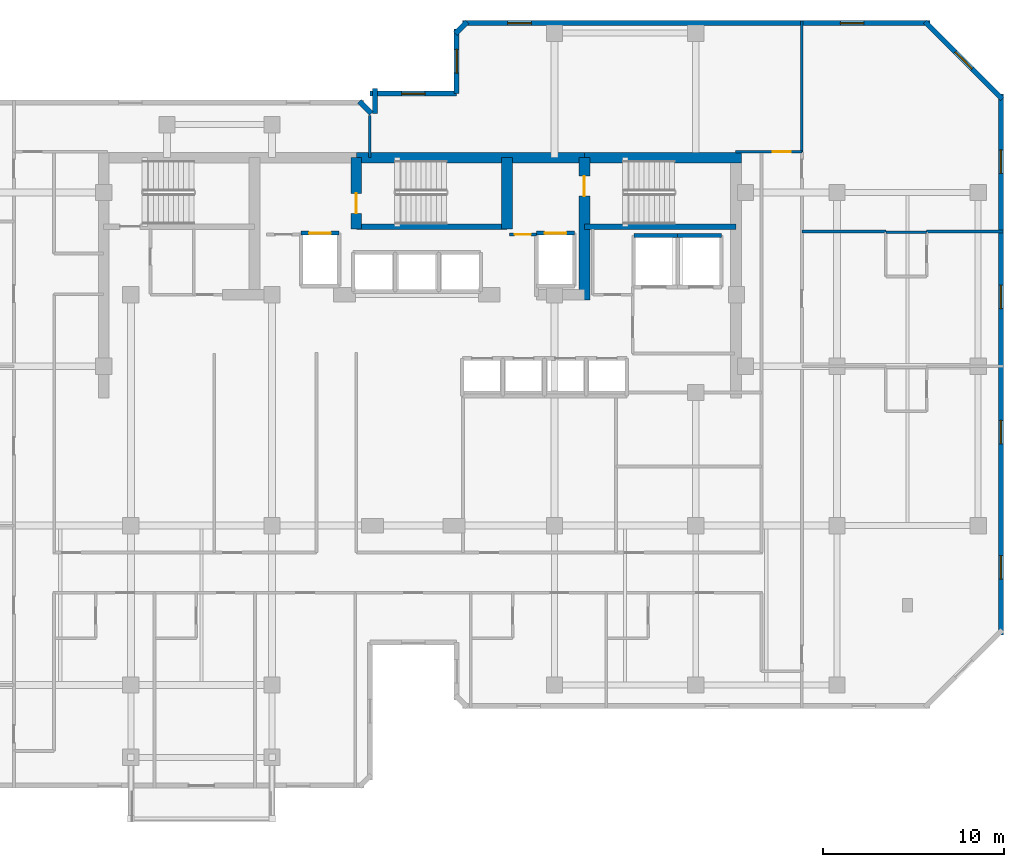
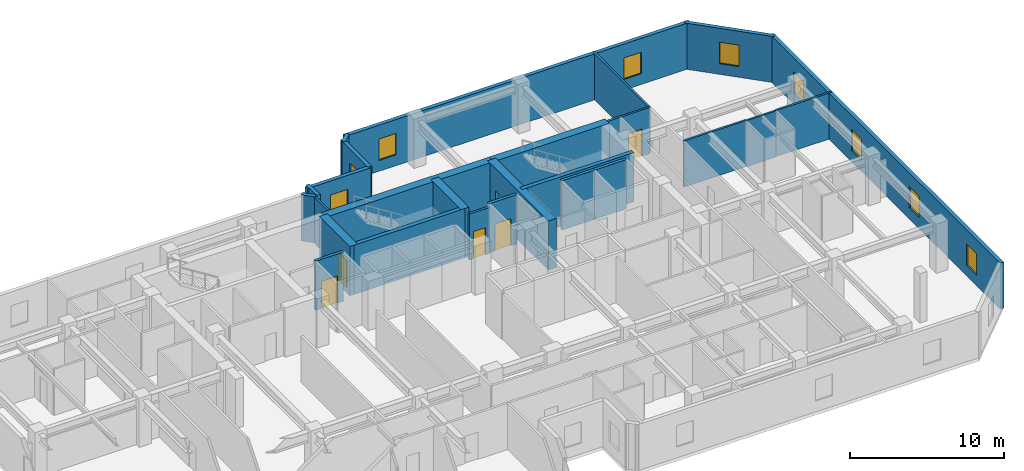
# One storey, part 8 of 11: 26 walls, 9 windows, 6 doors, 15 openings.
"""IFC4 building model written with IfcOpenShell, lengths in metres."""

from ifc_helpers import new_model, si_unit, direction, frame, frame_2d, origin, place, context, subcontext, project, spatial, rectangle, extrude, material, layer, layer_set, type_object, element, fill, save


model = new_model("IFC4")

# Units and contexts
model_context = context("Model", 3, precision=1e-05, world=origin(), true_north=direction((0.0, 1.0)))
body_context = subcontext(model_context, "Body", "Model", "MODEL_VIEW")
ifc_project = project(units=[si_unit("LENGTHUNIT", "METRE"), si_unit("AREAUNIT", "SQUARE_METRE"), si_unit("VOLUMEUNIT", "CUBIC_METRE"), si_unit("PLANEANGLEUNIT", "RADIAN"), si_unit("MASSUNIT", "GRAM", prefix="KILO")], contexts=[model_context])

# Site, building, storey
site_placement = place(None, origin())
site = spatial("IfcSite", under=ifc_project, at=site_placement, CompositionType="ELEMENT")
building_placement = place(site_placement, origin())
building = spatial("IfcBuilding", under=site, at=building_placement, Name="Kestravale Grand Hotel", CompositionType="ELEMENT")
storey_placement = place(building_placement, frame((0.0, 0.0, 200.699951171875)))
storey = spatial("IfcBuildingStorey", under=building, at=storey_placement, Name="L50", CompositionType="ELEMENT", Elevation=200.699951171875)

# Walls
ifc_material_1 = material(Name="Concrete f'c 50 MPa", Category="concrete")
ifc_layer_1 = layer(ifc_material_1, 0.60009765625)
ifc_layer_set_1 = layer_set([ifc_layer_1], Name="EW-CORE-600")
wall_type_1 = type_object("IfcWallType", Name="EW-CORE-600", PredefinedType="SHEAR", material=ifc_layer_set_1)
wall_1_placement = place(storey_placement, frame((35.85009765625, 40.320068359375, 0.0), z_axis=(0.0, 0.0, 1.0), x_axis=(1.0, 0.0, 0.0)))
element("IfcWall", 1, at=wall_1_placement, inside=storey, type_object=wall_type_1, Name="L50 core shear wall N2", PredefinedType="SHEAR", context=body_context, shape_type="SweptSolid", body=[
    extrude(rectangle(XDim=12.599853515625, YDim=0.60009765625, at=frame_2d((6.2998046875, 0.0))), origin(), (0.0, 0.0, 1.0), 3.900146484375),
])
wall_2_placement = place(storey_placement, frame((48.449951171875, 40.320068359375, 0.0), z_axis=(0.0, 0.0, 1.0), x_axis=(1.0, 0.0, 0.0)))
element("IfcWall", 2, at=wall_2_placement, inside=storey, type_object=wall_type_1, Name="L50 core shear wall N3", PredefinedType="SHEAR", context=body_context, shape_type="SweptSolid", body=[
    extrude(rectangle(XDim=8.670166015625, YDim=0.60009765625, at=frame_2d((4.3349609375, 0.0))), origin(), (0.0, 0.0, 1.0), 3.900146484375),
])

# Wall, opening, door
wall_3_placement = place(storey_placement, frame((35.85009765625, 36.3701171875, 0.0), z_axis=(0.0, 0.0, 1.0), x_axis=(0.0, 1.0, 0.0)))
wall_3 = element("IfcWall", 3, at=wall_3_placement, inside=storey, type_object=wall_type_1, Name="L50 core shear wall X2", PredefinedType="SHEAR", context=body_context, shape_type="SweptSolid", body=[
    extrude(rectangle(XDim=3.949951171875, YDim=0.60009765625, at=frame_2d((1.97509765625, 0.0))), origin(), (0.0, 0.0, 1.0), 3.900146484375),
])
opening_1_placement = place(wall_3_placement, frame((0.8798828125, 0.0, 0.0)))
opening_1 = element("IfcOpeningElement", 4, at=opening_1_placement, cuts=wall_3, Name="Opening D-ST-1100", PredefinedType="OPENING", context=body_context, shape_type="SweptSolid", body=[
    extrude(rectangle(XDim=1.10009765625, YDim=2.14990234375, at=frame_2d((0.550048828125, 1.074951171875))), frame((0.0, 0.31005859375, 0.0), z_axis=(0.0, -1.0, 0.0), x_axis=(1.0, 0.0, 0.0)), (0.0, 0.0, 1.0), 0.6201171875),
])
ifc_material_2 = material(Name="Galvanised 90-minute fire-rated steel stair door", Category="steel")
door_type_1 = type_object("IfcDoorType", Name="D-ST-1100", OperationType="NOTDEFINED", PredefinedType="DOOR", material=ifc_material_2)
door_1_placement = place(opening_1_placement, origin())
door_1 = element("IfcDoor", 5, at=door_1_placement, inside=storey, type_object=door_type_1, Name="L50 Stair ST-2 FSAE fire door", OperationType="SINGLE_SWING_RIGHT", OverallHeight=2.14990234375, OverallWidth=1.10009765625, PredefinedType="DOOR", context=body_context, shape_type="SweptSolid", body=[
    extrude(rectangle(XDim=1.10009765625, YDim=2.14990234375, at=frame_2d((0.550048828125, 1.074951171875))), frame((0.0, 0.02490234375, 0.0), z_axis=(0.0, -1.0, 0.0), x_axis=(1.0, 0.0, 0.0)), (0.0, 0.0, 1.0), 0.050048828125),
])
fill(opening_1, door_1)

# Wall
wall_4_placement = place(storey_placement, frame((44.179931640625, 36.3701171875, 0.0), z_axis=(0.0, 0.0, 1.0), x_axis=(0.0, 1.0, 0.0)))
element("IfcWall", 6, at=wall_4_placement, inside=storey, type_object=wall_type_1, Name="L50 core shear wall X3", PredefinedType="SHEAR", context=body_context, shape_type="SweptSolid", body=[
    extrude(rectangle(XDim=3.949951171875, YDim=0.60009765625, at=frame_2d((1.97509765625, 0.0))), origin(), (0.0, 0.0, 1.0), 3.900146484375),
])

# Wall, opening, door
wall_5_placement = place(storey_placement, frame((48.449951171875, 32.449951171875, 0.0), z_axis=(0.0, 0.0, 1.0), x_axis=(0.0, 1.0, 0.0)))
wall_5 = element("IfcWall", 7, at=wall_5_placement, inside=storey, type_object=wall_type_1, Name="L50 core shear wall X4", PredefinedType="SHEAR", context=body_context, shape_type="SweptSolid", body=[
    extrude(rectangle(XDim=7.8701171875, YDim=0.60009765625, at=frame_2d((3.93505859375, 0.0))), origin(), (0.0, 0.0, 1.0), 3.900146484375),
])
opening_2_placement = place(wall_5_placement, frame((5.75, 0.0, 0.0)))
opening_2 = element("IfcOpeningElement", 8, at=opening_2_placement, cuts=wall_5, Name="Opening D-ST-1100", PredefinedType="OPENING", context=body_context, shape_type="SweptSolid", body=[
    extrude(rectangle(XDim=1.10009765625, YDim=2.14990234375, at=frame_2d((0.550048828125, 1.074951171875))), frame((0.0, 0.31005859375, 0.0), z_axis=(0.0, -1.0, 0.0), x_axis=(1.0, 0.0, 0.0)), (0.0, 0.0, 1.0), 0.6201171875),
])
door_2_placement = place(opening_2_placement, origin())
door_2 = element("IfcDoor", 9, at=door_2_placement, inside=storey, type_object=door_type_1, Name="L50 Stair ST-3 FSAE fire door", OperationType="SINGLE_SWING_RIGHT", OverallHeight=2.14990234375, OverallWidth=1.10009765625, PredefinedType="DOOR", context=body_context, shape_type="SweptSolid", body=[
    extrude(rectangle(XDim=1.10009765625, YDim=2.14990234375, at=frame_2d((0.550048828125, 1.074951171875))), frame((0.0, 0.02490234375, 0.0), z_axis=(0.0, -1.0, 0.0), x_axis=(1.0, 0.0, 0.0)), (0.0, 0.0, 1.0), 0.050048828125),
])
fill(opening_2, door_2)

# Wall, openings, windows
ifc_material_3 = material(Name="Precast concrete f'c 45 MPa", Category="concrete")
ifc_layer_2 = layer(ifc_material_3, 0.280029296875)
ifc_layer_set_2 = layer_set([ifc_layer_2], Name="EW-PREC-280")
wall_type_2 = type_object("IfcWallType", Name="EW-PREC-280", PredefinedType="SOLIDWALL", material=ifc_layer_set_2)
wall_6_placement = place(storey_placement, frame((71.4599609375, 13.9599609375, 0.0), z_axis=(0.0, 0.0, 1.0), x_axis=(0.0, 1.0, 0.0)))
wall_6 = element("IfcWall", 10, at=wall_6_placement, inside=storey, type_object=wall_type_2, Name="L50 fluted precast facade wall 9", PredefinedType="SOLIDWALL", context=body_context, shape_type="SweptSolid", body=[
    extrude(rectangle(XDim=29.880126953125, YDim=0.280029296875, at=frame_2d((14.93994140625, 0.0))), origin(), (0.0, 0.0, 1.0), 3.650146484375),
])
opening_3_placement = place(wall_6_placement, frame((3.0849609375, 0.0, 0.85009765625)))
opening_3 = element("IfcOpeningElement", 11, at=opening_3_placement, cuts=wall_6, Name="Opening W-GUEST-1300", PredefinedType="OPENING", context=body_context, shape_type="SweptSolid", body=[
    extrude(rectangle(XDim=1.300048828125, YDim=1.699951171875, at=frame_2d((0.64990234375, 0.85009765625))), frame((0.0, 0.14990234375, 0.0), z_axis=(0.0, -1.0, 0.0), x_axis=(1.0, 0.0, 0.0)), (0.0, 0.0, 1.0), 0.300048828125),
])
opening_4_placement = place(wall_6_placement, frame((10.554931640625, 0.0, 0.85009765625)))
opening_4 = element("IfcOpeningElement", 12, at=opening_4_placement, cuts=wall_6, Name="Opening W-GUEST-1300", PredefinedType="OPENING", context=body_context, shape_type="SweptSolid", body=[
    extrude(rectangle(XDim=1.300048828125, YDim=1.699951171875, at=frame_2d((0.64990234375, 0.85009765625))), frame((0.0, 0.14990234375, 0.0), z_axis=(0.0, -1.0, 0.0), x_axis=(1.0, 0.0, 0.0)), (0.0, 0.0, 1.0), 0.300048828125),
])
opening_5_placement = place(wall_6_placement, frame((18.02490234375, 0.0, 0.85009765625)))
opening_5 = element("IfcOpeningElement", 13, at=opening_5_placement, cuts=wall_6, Name="Opening W-GUEST-1300", PredefinedType="OPENING", context=body_context, shape_type="SweptSolid", body=[
    extrude(rectangle(XDim=1.300048828125, YDim=1.699951171875, at=frame_2d((0.64990234375, 0.85009765625))), frame((0.0, 0.14990234375, 0.0), z_axis=(0.0, -1.0, 0.0), x_axis=(1.0, 0.0, 0.0)), (0.0, 0.0, 1.0), 0.300048828125),
])
opening_6_placement = place(wall_6_placement, frame((25.4951171875, 0.0, 0.85009765625)))
opening_6 = element("IfcOpeningElement", 14, at=opening_6_placement, cuts=wall_6, Name="Opening W-GUEST-1300", PredefinedType="OPENING", context=body_context, shape_type="SweptSolid", body=[
    extrude(rectangle(XDim=1.300048828125, YDim=1.699951171875, at=frame_2d((0.64990234375, 0.85009765625))), frame((0.0, 0.14990234375, 0.0), z_axis=(0.0, -1.0, 0.0), x_axis=(1.0, 0.0, 0.0)), (0.0, 0.0, 1.0), 0.300048828125),
])
ifc_material_4 = material(Name="Insulated low-E double glazing in aluminium frame", Category="aluminium")
window_type = type_object("IfcWindowType", Name="W-GUEST-1300", PartitioningType="SINGLE_PANEL", PredefinedType="WINDOW", material=ifc_material_4)
window_1_placement = place(opening_3_placement, origin())
window_1 = element("IfcWindow", 15, at=window_1_placement, inside=storey, type_object=window_type, Name="L50 exterior window 9.1", OverallHeight=1.699951171875, OverallWidth=1.300048828125, PartitioningType="SINGLE_PANEL", PredefinedType="WINDOW", context=body_context, shape_type="SweptSolid", body=[
    extrude(rectangle(XDim=1.300048828125, YDim=1.699951171875, at=frame_2d((0.64990234375, 0.85009765625))), frame((0.0, 0.030029296875, 0.0), z_axis=(0.0, -1.0, 0.0), x_axis=(1.0, 0.0, 0.0)), (0.0, 0.0, 1.0), 0.06005859375),
])
fill(opening_3, window_1)
window_2_placement = place(opening_4_placement, origin())
window_2 = element("IfcWindow", 16, at=window_2_placement, inside=storey, type_object=window_type, Name="L50 exterior window 9.2", OverallHeight=1.699951171875, OverallWidth=1.300048828125, PartitioningType="SINGLE_PANEL", PredefinedType="WINDOW", context=body_context, shape_type="SweptSolid", body=[
    extrude(rectangle(XDim=1.300048828125, YDim=1.699951171875, at=frame_2d((0.64990234375, 0.85009765625))), frame((0.0, 0.030029296875, 0.0), z_axis=(0.0, -1.0, 0.0), x_axis=(1.0, 0.0, 0.0)), (0.0, 0.0, 1.0), 0.06005859375),
])
fill(opening_4, window_2)
window_3_placement = place(opening_5_placement, origin())
window_3 = element("IfcWindow", 17, at=window_3_placement, inside=storey, type_object=window_type, Name="L50 exterior window 9.3", OverallHeight=1.699951171875, OverallWidth=1.300048828125, PartitioningType="SINGLE_PANEL", PredefinedType="WINDOW", context=body_context, shape_type="SweptSolid", body=[
    extrude(rectangle(XDim=1.300048828125, YDim=1.699951171875, at=frame_2d((0.64990234375, 0.85009765625))), frame((0.0, 0.030029296875, 0.0), z_axis=(0.0, -1.0, 0.0), x_axis=(1.0, 0.0, 0.0)), (0.0, 0.0, 1.0), 0.06005859375),
])
fill(opening_5, window_3)
window_4_placement = place(opening_6_placement, origin())
window_4 = element("IfcWindow", 18, at=window_4_placement, inside=storey, type_object=window_type, Name="L50 exterior window 9.4", OverallHeight=1.699951171875, OverallWidth=1.300048828125, PartitioningType="SINGLE_PANEL", PredefinedType="WINDOW", context=body_context, shape_type="SweptSolid", body=[
    extrude(rectangle(XDim=1.300048828125, YDim=1.699951171875, at=frame_2d((0.64990234375, 0.85009765625))), frame((0.0, 0.030029296875, 0.0), z_axis=(0.0, -1.0, 0.0), x_axis=(1.0, 0.0, 0.0)), (0.0, 0.0, 1.0), 0.06005859375),
])
fill(opening_6, window_4)

# Wall, opening, window
wall_7_placement = place(storey_placement, frame((71.529296875, 43.57275390625, 0.0), z_axis=(0.0, 0.0, 1.0), x_axis=(-0.707106781187, 0.707106781187, 0.0)))
wall_7 = element("IfcWall", 19, at=wall_7_placement, inside=storey, type_object=wall_type_2, Name="L50 fluted precast facade wall 10", PredefinedType="SOLIDWALL", context=body_context, shape_type="SweptSolid", body=[
    extrude(rectangle(XDim=6.019775390625, YDim=0.280029296875, at=frame_2d((3.009765625, 0.0))), origin(), (0.0, 0.0, 1.0), 3.650146484375),
])
opening_7_placement = place(wall_7_placement, frame((2.35986328125, 0.0, 0.85009765625)))
opening_7 = element("IfcOpeningElement", 20, at=opening_7_placement, cuts=wall_7, Name="Opening W-GUEST-1300", PredefinedType="OPENING", context=body_context, shape_type="SweptSolid", body=[
    extrude(rectangle(XDim=1.300048828125, YDim=1.699951171875, at=frame_2d((0.64990234375, 0.85009765625))), frame((0.0, 0.14990234375, 0.0), z_axis=(0.0, -1.0, 0.0), x_axis=(1.0, 0.0, 0.0)), (0.0, 0.0, 1.0), 0.300048828125),
])
window_5_placement = place(opening_7_placement, origin())
window_5 = element("IfcWindow", 21, at=window_5_placement, inside=storey, type_object=window_type, Name="L50 exterior window 10.1", OverallHeight=1.699951171875, OverallWidth=1.300048828125, PartitioningType="SINGLE_PANEL", PredefinedType="WINDOW", context=body_context, shape_type="SweptSolid", body=[
    extrude(rectangle(XDim=1.300048828125, YDim=1.699951171875, at=frame_2d((0.64990234375, 0.85009765625))), frame((0.0, 0.030029296875, 0.0), z_axis=(0.0, -1.0, 0.0), x_axis=(1.0, 0.0, 0.0)), (0.0, 0.0, 1.0), 0.06005859375),
])
fill(opening_7, window_5)

# Wall, openings, windows
wall_8_placement = place(storey_placement, frame((67.5400390625, 47.760009765625, 0.0), z_axis=(0.0, 0.0, 1.0), x_axis=(-1.0, 0.0, 0.0)))
wall_8 = element("IfcWall", 22, at=wall_8_placement, inside=storey, type_object=wall_type_2, Name="L50 fluted precast facade wall 11", PredefinedType="SOLIDWALL", context=body_context, shape_type="SweptSolid", body=[
    extrude(rectangle(XDim=25.830078125, YDim=0.280029296875, at=frame_2d((12.9150390625, 0.0))), origin(), (0.0, 0.0, 1.0), 3.650146484375),
])
opening_8_placement = place(wall_8_placement, frame((3.655029296875, 0.0, 0.85009765625)))
opening_8 = element("IfcOpeningElement", 23, at=opening_8_placement, cuts=wall_8, Name="Opening W-GUEST-1300", PredefinedType="OPENING", context=body_context, shape_type="SweptSolid", body=[
    extrude(rectangle(XDim=1.300048828125, YDim=1.699951171875, at=frame_2d((0.64990234375, 0.85009765625))), frame((0.0, 0.14990234375, 0.0), z_axis=(0.0, -1.0, 0.0), x_axis=(1.0, 0.0, 0.0)), (0.0, 0.0, 1.0), 0.300048828125),
])
opening_9_placement = place(wall_8_placement, frame((22.02490234375, 0.0, 0.85009765625)))
opening_9 = element("IfcOpeningElement", 24, at=opening_9_placement, cuts=wall_8, Name="Opening W-GUEST-1300", PredefinedType="OPENING", context=body_context, shape_type="SweptSolid", body=[
    extrude(rectangle(XDim=1.300048828125, YDim=1.699951171875, at=frame_2d((0.64990234375, 0.85009765625))), frame((0.0, 0.14990234375, 0.0), z_axis=(0.0, -1.0, 0.0), x_axis=(1.0, 0.0, 0.0)), (0.0, 0.0, 1.0), 0.300048828125),
])
window_6_placement = place(opening_8_placement, origin())
window_6 = element("IfcWindow", 25, at=window_6_placement, inside=storey, type_object=window_type, Name="L50 exterior window 11.1", OverallHeight=1.699951171875, OverallWidth=1.300048828125, PartitioningType="SINGLE_PANEL", PredefinedType="WINDOW", context=body_context, shape_type="SweptSolid", body=[
    extrude(rectangle(XDim=1.300048828125, YDim=1.699951171875, at=frame_2d((0.64990234375, 0.85009765625))), frame((0.0, 0.030029296875, 0.0), z_axis=(0.0, -1.0, 0.0), x_axis=(1.0, 0.0, 0.0)), (0.0, 0.0, 1.0), 0.06005859375),
])
fill(opening_8, window_6)
window_7_placement = place(opening_9_placement, origin())
window_7 = element("IfcWindow", 26, at=window_7_placement, inside=storey, type_object=window_type, Name="L50 exterior window 11.2", OverallHeight=1.699951171875, OverallWidth=1.300048828125, PartitioningType="SINGLE_PANEL", PredefinedType="WINDOW", context=body_context, shape_type="SweptSolid", body=[
    extrude(rectangle(XDim=1.300048828125, YDim=1.699951171875, at=frame_2d((0.64990234375, 0.85009765625))), frame((0.0, 0.030029296875, 0.0), z_axis=(0.0, -1.0, 0.0), x_axis=(1.0, 0.0, 0.0)), (0.0, 0.0, 1.0), 0.06005859375),
])
fill(opening_9, window_7)

# Wall
wall_9_placement = place(storey_placement, frame((41.977294921875, 47.829345703125, 0.0), z_axis=(0.0, 0.0, 1.0), x_axis=(-0.706975312048, -0.707238225886, 0.0)))
element("IfcWall", 27, at=wall_9_placement, inside=storey, type_object=wall_type_2, Name="L50 fluted precast facade wall 12", PredefinedType="SOLIDWALL", context=body_context, shape_type="SweptSolid", body=[
    extrude(rectangle(XDim=0.9287109375, YDim=0.280029296875, at=frame_2d((0.46435546875, 0.0))), origin(), (0.0, 0.0, 1.0), 3.650146484375),
])

# Wall, opening, window
wall_10_placement = place(storey_placement, frame((41.389892578125, 47.43994140625, 0.0), z_axis=(0.0, 0.0, 1.0), x_axis=(0.0, -1.0, 0.0)))
wall_10 = element("IfcWall", 28, at=wall_10_placement, inside=storey, type_object=wall_type_2, Name="L50 fluted precast facade wall 13", PredefinedType="SOLIDWALL", context=body_context, shape_type="SweptSolid", body=[
    extrude(rectangle(XDim=3.579833984375, YDim=0.280029296875, at=frame_2d((1.7900390625, 0.0))), origin(), (0.0, 0.0, 1.0), 3.650146484375),
])
opening_10_placement = place(wall_10_placement, frame((1.139892578125, 0.0, 0.85009765625)))
opening_10 = element("IfcOpeningElement", 29, at=opening_10_placement, cuts=wall_10, Name="Opening W-GUEST-1300", PredefinedType="OPENING", context=body_context, shape_type="SweptSolid", body=[
    extrude(rectangle(XDim=1.300048828125, YDim=1.699951171875, at=frame_2d((0.64990234375, 0.85009765625))), frame((0.0, 0.14990234375, 0.0), z_axis=(0.0, -1.0, 0.0), x_axis=(1.0, 0.0, 0.0)), (0.0, 0.0, 1.0), 0.300048828125),
])
window_8_placement = place(opening_10_placement, origin())
window_8 = element("IfcWindow", 30, at=window_8_placement, inside=storey, type_object=window_type, Name="L50 exterior window 13.1", OverallHeight=1.699951171875, OverallWidth=1.300048828125, PartitioningType="SINGLE_PANEL", PredefinedType="WINDOW", context=body_context, shape_type="SweptSolid", body=[
    extrude(rectangle(XDim=1.300048828125, YDim=1.699951171875, at=frame_2d((0.64990234375, 0.85009765625))), frame((0.0, 0.030029296875, 0.0), z_axis=(0.0, -1.0, 0.0), x_axis=(1.0, 0.0, 0.0)), (0.0, 0.0, 1.0), 0.06005859375),
])
fill(opening_10, window_8)

wall_11_placement = place(storey_placement, frame((41.389892578125, 43.860107421875, 0.0), z_axis=(0.0, 0.0, 1.0), x_axis=(-1.0, 0.0, 0.0)))
wall_11 = element("IfcWall", 31, at=wall_11_placement, inside=storey, type_object=wall_type_2, Name="L50 fluted precast facade wall 14", PredefinedType="SOLIDWALL", context=body_context, shape_type="SweptSolid", body=[
    extrude(rectangle(XDim=4.77978515625, YDim=0.280029296875, at=frame_2d((2.389892578125, 0.0))), origin(), (0.0, 0.0, 1.0), 3.650146484375),
])
opening_11_placement = place(wall_11_placement, frame((1.739990234375, 0.0, 0.85009765625)))
opening_11 = element("IfcOpeningElement", 32, at=opening_11_placement, cuts=wall_11, Name="Opening W-GUEST-1300", PredefinedType="OPENING", context=body_context, shape_type="SweptSolid", body=[
    extrude(rectangle(XDim=1.300048828125, YDim=1.699951171875, at=frame_2d((0.64990234375, 0.85009765625))), frame((0.0, 0.14990234375, 0.0), z_axis=(0.0, -1.0, 0.0), x_axis=(1.0, 0.0, 0.0)), (0.0, 0.0, 1.0), 0.300048828125),
])
window_9_placement = place(opening_11_placement, origin())
window_9 = element("IfcWindow", 33, at=window_9_placement, inside=storey, type_object=window_type, Name="L50 exterior window 14.1", OverallHeight=1.699951171875, OverallWidth=1.300048828125, PartitioningType="SINGLE_PANEL", PredefinedType="WINDOW", context=body_context, shape_type="SweptSolid", body=[
    extrude(rectangle(XDim=1.300048828125, YDim=1.699951171875, at=frame_2d((0.64990234375, 0.85009765625))), frame((0.0, 0.030029296875, 0.0), z_axis=(0.0, -1.0, 0.0), x_axis=(1.0, 0.0, 0.0)), (0.0, 0.0, 1.0), 0.06005859375),
])
fill(opening_11, window_9)

# Walls
wall_12_placement = place(storey_placement, frame((36.889892578125, 44.139892578125, 0.0), z_axis=(0.0, 0.0, 1.0), x_axis=(0.0, -1.0, 0.0)))
element("IfcWall", 34, at=wall_12_placement, inside=storey, type_object=wall_type_2, Name="L50 fluted precast facade wall 15", PredefinedType="SOLIDWALL", context=body_context, shape_type="SweptSolid", body=[
    extrude(rectangle(XDim=1.3798828125, YDim=0.280029296875, at=frame_2d((0.68994140625, 0.0))), origin(), (0.0, 0.0, 1.0), 3.650146484375),
])
wall_13_placement = place(storey_placement, frame((36.67919921875, 42.772705078125, 0.0), z_axis=(0.0, 0.0, 1.0), x_axis=(-0.707106781187, 0.707106781187, 0.0)))
element("IfcWall", 35, at=wall_13_placement, inside=storey, type_object=wall_type_2, Name="L50 fluted precast facade wall 16", PredefinedType="SOLIDWALL", context=body_context, shape_type="SweptSolid", body=[
    extrude(rectangle(XDim=0.928466796875, YDim=0.280029296875, at=frame_2d((0.46435546875, 0.0))), origin(), (0.0, 0.0, 1.0), 3.650146484375),
])
ifc_material_5 = material(Name="Concrete f'c 45 MPa", Category="concrete")
ifc_layer_3 = layer(ifc_material_5, 0.300048828125)
ifc_layer_set_3 = layer_set([ifc_layer_3], Name="EW-STAIR-300")
wall_type_3 = type_object("IfcWallType", Name="EW-STAIR-300", PredefinedType="SHEAR", material=ifc_layer_set_3)
wall_14_placement = place(storey_placement, frame((35.85009765625, 36.52001953125, 0.0), z_axis=(0.0, 0.0, 1.0), x_axis=(1.0, 0.0, 0.0)))
element("IfcWall", 36, at=wall_14_placement, inside=storey, type_object=wall_type_3, Name="L50 stair enclosure shear wall SST2", PredefinedType="SHEAR", context=body_context, shape_type="SweptSolid", body=[
    extrude(rectangle(XDim=8.329833984375, YDim=0.300048828125, at=frame_2d((4.1650390625, 0.0))), origin(), (0.0, 0.0, 1.0), 3.900146484375),
])
wall_15_placement = place(storey_placement, frame((48.449951171875, 36.52001953125, 0.0), z_axis=(0.0, 0.0, 1.0), x_axis=(1.0, 0.0, 0.0)))
element("IfcWall", 37, at=wall_15_placement, inside=storey, type_object=wall_type_3, Name="L50 stair enclosure shear wall SST3", PredefinedType="SHEAR", context=body_context, shape_type="SweptSolid", body=[
    extrude(rectangle(XDim=8.3701171875, YDim=0.300048828125, at=frame_2d((4.18505859375, 0.0))), origin(), (0.0, 0.0, 1.0), 3.900146484375),
])

# Wall, opening, door
ifc_material_6 = material(Name="Fire-rated gypsum board on steel studs with mineral wool", Category="steel")
ifc_layer_4 = layer(ifc_material_6, 0.179931640625)
ifc_layer_set_4 = layer_set([ifc_layer_4], Name="IW-FSAE-180")
wall_type_4 = type_object("IfcWallType", Name="IW-FSAE-180", PredefinedType="PARTITIONING", material=ifc_layer_set_4)
wall_16_placement = place(storey_placement, frame((44.300048828125, 36.080078125, 0.0), z_axis=(0.0, 0.0, 1.0), x_axis=(1.0, 0.0, 0.0)))
wall_16 = element("IfcWall", 38, at=wall_16_placement, inside=storey, type_object=wall_type_4, Name="L50 FSAE Lobby 2 smoke barrier", PredefinedType="PARTITIONING", context=body_context, shape_type="SweptSolid", body=[
    extrude(rectangle(XDim=1.5, YDim=0.179931640625, at=frame_2d((0.75, 0.0))), origin(), (0.0, 0.0, 1.0), 3.650146484375),
])
opening_12_placement = place(wall_16_placement, frame((0.300048828125, 0.0, 0.0)))
opening_12 = element("IfcOpeningElement", 39, at=opening_12_placement, cuts=wall_16, Name="Opening D-FSAE-1000", PredefinedType="OPENING", context=body_context, shape_type="SweptSolid", body=[
    extrude(rectangle(XDim=0.89990234375, YDim=2.14990234375, at=frame_2d((0.449951171875, 1.074951171875))), frame((0.0, 0.099853515625, 0.0), z_axis=(0.0, -1.0, 0.0), x_axis=(1.0, 0.0, 0.0)), (0.0, 0.0, 1.0), 0.199951171875),
])
ifc_material_7 = material(Name="Smoke-gasketed FSAE lobby fire door", Category="steel")
door_type_2 = type_object("IfcDoorType", Name="D-FSAE-1000", OperationType="NOTDEFINED", PredefinedType="DOOR", material=ifc_material_7)
door_3_placement = place(opening_12_placement, origin())
door_3 = element("IfcDoor", 40, at=door_3_placement, inside=storey, type_object=door_type_2, Name="L50 FSAE Lobby 2 fire door", OperationType="SINGLE_SWING_LEFT", OverallHeight=2.14990234375, OverallWidth=0.89990234375, PredefinedType="DOOR", context=body_context, shape_type="SweptSolid", body=[
    extrude(rectangle(XDim=0.89990234375, YDim=2.14990234375, at=frame_2d((0.449951171875, 1.074951171875))), frame((0.0, 0.02490234375, 0.0), z_axis=(0.0, -1.0, 0.0), x_axis=(1.0, 0.0, 0.0)), (0.0, 0.0, 1.0), 0.050048828125),
])
fill(opening_12, door_3)

# Walls
ifc_material_8 = material(Name="Moisture-resistant tile-backer plumbing chase wall", Category="other")
ifc_layer_5 = layer(ifc_material_8, 0.139892578125)
ifc_layer_set_5 = layer_set([ifc_layer_5], Name="IW-PLB-140")
wall_type_5 = type_object("IfcWallType", Name="IW-PLB-140", PredefinedType="PLUMBINGWALL", material=ifc_layer_set_5)
wall_17_placement = place(storey_placement, frame((65.10009765625, 36.2099609375, 0.0), z_axis=(0.0, 0.0, 1.0), x_axis=(1.0, 0.0, 0.0)))
element("IfcWall", 41, at=wall_17_placement, inside=storey, type_object=wall_type_5, Name="W-L50-U10-BN", PredefinedType="PLUMBINGWALL", context=body_context, shape_type="SweptSolid", body=[
    extrude(rectangle(XDim=2.25, YDim=0.139892578125, at=frame_2d((1.125, 0.0))), origin(), (0.0, 0.0, 1.0), 3.650146484375),
])
ifc_material_9 = material(Name="Concrete f'c 45 MPa", Category="concrete")
ifc_layer_6 = layer(ifc_material_9, 0.219970703125)
ifc_layer_set_6 = layer_set([ifc_layer_6], Name="IW-SHAFT-220")
wall_type_6 = type_object("IfcWallType", Name="IW-SHAFT-220", PredefinedType="SHEAR", material=ifc_layer_set_6)
wall_18_placement = place(storey_placement, frame((51.179931640625, 36.030029296875, 0.0), z_axis=(0.0, 0.0, 1.0), x_axis=(1.0, 0.0, 0.0)))
element("IfcWall", 42, at=wall_18_placement, inside=storey, type_object=wall_type_6, Name="L50 SL-1 north shaft wall", PredefinedType="SHEAR", context=body_context, shape_type="SweptSolid", body=[
    extrude(rectangle(XDim=2.420166015625, YDim=0.219970703125, at=frame_2d((1.2099609375, 0.0))), origin(), (0.0, 0.0, 1.0), 3.900146484375),
])
wall_19_placement = place(storey_placement, frame((53.60009765625, 36.030029296875, 0.0), z_axis=(0.0, 0.0, 1.0), x_axis=(1.0, 0.0, 0.0)))
element("IfcWall", 43, at=wall_19_placement, inside=storey, type_object=wall_type_6, Name="L50 SL-2 north shaft wall", PredefinedType="SHEAR", context=body_context, shape_type="SweptSolid", body=[
    extrude(rectangle(XDim=2.419921875, YDim=0.219970703125, at=frame_2d((1.2099609375, 0.0))), origin(), (0.0, 0.0, 1.0), 3.900146484375),
])

# Wall, opening, door
wall_20_placement = place(storey_placement, frame((32.804931640625, 36.155029296875, 0.0), z_axis=(0.0, 0.0, 1.0), x_axis=(1.0, 0.0, 0.0)))
wall_20 = element("IfcWall", 44, at=wall_20_placement, inside=storey, type_object=wall_type_6, Name="L50 FL-1 north shaft wall", PredefinedType="SHEAR", context=body_context, shape_type="SweptSolid", body=[
    extrude(rectangle(XDim=2.090087890625, YDim=0.219970703125, at=frame_2d((1.044921875, 0.0))), origin(), (0.0, 0.0, 1.0), 3.900146484375),
])
opening_13_placement = place(wall_20_placement, frame((0.445068359375, 0.0, 0.0)))
opening_13 = element("IfcOpeningElement", 45, at=opening_13_placement, cuts=wall_20, Name="Opening LD-FSAE-1200", PredefinedType="OPENING", context=body_context, shape_type="SweptSolid", body=[
    extrude(rectangle(XDim=1.199951171875, YDim=2.14990234375, at=frame_2d((0.60009765625, 1.074951171875))), frame((0.0, 0.119873046875, 0.0), z_axis=(0.0, -1.0, 0.0), x_axis=(1.0, 0.0, 0.0)), (0.0, 0.0, 1.0), 0.239990234375),
])
ifc_material_10 = material(Name="Stainless fire-service sliding elevator landing door", Category="steel")
door_type_3 = type_object("IfcDoorType", Name="LD-FSAE-1200", OperationType="NOTDEFINED", PredefinedType="DOOR", material=ifc_material_10)
door_4_placement = place(opening_13_placement, origin())
door_4 = element("IfcDoor", 46, at=door_4_placement, inside=storey, type_object=door_type_3, Name="L50 FL-1 elevator landing sliding door", OperationType="DOUBLE_DOOR_SLIDING", OverallHeight=2.14990234375, OverallWidth=1.199951171875, PredefinedType="DOOR", context=body_context, shape_type="SweptSolid", body=[
    extrude(rectangle(XDim=1.199951171875, YDim=2.14990234375, at=frame_2d((0.60009765625, 1.074951171875))), frame((0.0, 0.02490234375, 0.0), z_axis=(0.0, -1.0, 0.0), x_axis=(1.0, 0.0, 0.0)), (0.0, 0.0, 1.0), 0.050048828125),
])
fill(opening_13, door_4)

wall_21_placement = place(storey_placement, frame((45.804931640625, 36.155029296875, 0.0), z_axis=(0.0, 0.0, 1.0), x_axis=(1.0, 0.0, 0.0)))
wall_21 = element("IfcWall", 47, at=wall_21_placement, inside=storey, type_object=wall_type_6, Name="L50 FL-2 north shaft wall", PredefinedType="SHEAR", context=body_context, shape_type="SweptSolid", body=[
    extrude(rectangle(XDim=2.090087890625, YDim=0.219970703125, at=frame_2d((1.044921875, 0.0))), origin(), (0.0, 0.0, 1.0), 3.900146484375),
])
opening_14_placement = place(wall_21_placement, frame((0.445068359375, 0.0, 0.0)))
opening_14 = element("IfcOpeningElement", 48, at=opening_14_placement, cuts=wall_21, Name="Opening LD-FSAE-1200", PredefinedType="OPENING", context=body_context, shape_type="SweptSolid", body=[
    extrude(rectangle(XDim=1.199951171875, YDim=2.14990234375, at=frame_2d((0.60009765625, 1.074951171875))), frame((0.0, 0.119873046875, 0.0), z_axis=(0.0, -1.0, 0.0), x_axis=(1.0, 0.0, 0.0)), (0.0, 0.0, 1.0), 0.239990234375),
])
door_5_placement = place(opening_14_placement, origin())
door_5 = element("IfcDoor", 49, at=door_5_placement, inside=storey, type_object=door_type_3, Name="L50 FL-2 elevator landing sliding door", OperationType="DOUBLE_DOOR_SLIDING", OverallHeight=2.14990234375, OverallWidth=1.199951171875, PredefinedType="DOOR", context=body_context, shape_type="SweptSolid", body=[
    extrude(rectangle(XDim=1.199951171875, YDim=2.14990234375, at=frame_2d((0.60009765625, 1.074951171875))), frame((0.0, 0.02490234375, 0.0), z_axis=(0.0, -1.0, 0.0), x_axis=(1.0, 0.0, 0.0)), (0.0, 0.0, 1.0), 0.050048828125),
])
fill(opening_14, door_5)

ifc_material_11 = material(Name="Double-stud STC 52 acoustic demising partition", Category="other")
ifc_layer_7 = layer(ifc_material_11, 0.14990234375)
ifc_layer_set_7 = layer_set([ifc_layer_7], Name="IW-UNIT-150")
wall_type_7 = type_object("IfcWallType", Name="IW-UNIT-150", PredefinedType="PARTITIONING", material=ifc_layer_set_7)
wall_22_placement = place(storey_placement, frame((56.800048828125, 40.64990234375, 0.0), z_axis=(0.0, 0.0, 1.0), x_axis=(1.0, 0.0, 0.0)))
wall_22 = element("IfcWall", 50, at=wall_22_placement, inside=storey, type_object=wall_type_7, Name="W-L50-SE-N", PredefinedType="PARTITIONING", context=body_context, shape_type="SweptSolid", body=[
    extrude(rectangle(XDim=3.659912109375, YDim=0.14990234375, at=frame_2d((1.830078125, 0.0))), origin(), (0.0, 0.0, 1.0), 3.650146484375),
])
opening_15_placement = place(wall_22_placement, frame((2.050048828125, 0.0, 0.0)))
opening_15 = element("IfcOpeningElement", 51, at=opening_15_placement, cuts=wall_22, Name="Opening D-GUEST-1000", PredefinedType="OPENING", context=body_context, shape_type="SweptSolid", body=[
    extrude(rectangle(XDim=1.0, YDim=2.14990234375, at=frame_2d((0.5, 1.074951171875))), frame((0.0, 0.0849609375, 0.0), z_axis=(0.0, -1.0, 0.0), x_axis=(1.0, 0.0, 0.0)), (0.0, 0.0, 1.0), 0.169921875),
])
ifc_material_12 = material(Name="Accessible walnut veneer hotel entrance fire door", Category="wood")
door_type_4 = type_object("IfcDoorType", Name="D-GUEST-1000", OperationType="NOTDEFINED", PredefinedType="DOOR", material=ifc_material_12)
door_6_placement = place(opening_15_placement, origin())
door_6 = element("IfcDoor", 52, at=door_6_placement, inside=storey, type_object=door_type_4, Name="L50 NE Gallery Door", OperationType="SINGLE_SWING_LEFT", OverallHeight=2.14990234375, OverallWidth=1.0, PredefinedType="DOOR", context=body_context, shape_type="SweptSolid", body=[
    extrude(rectangle(XDim=1.0, YDim=2.14990234375, at=frame_2d((0.5, 1.074951171875))), frame((0.0, 0.02490234375, 0.0), z_axis=(0.0, -1.0, 0.0), x_axis=(1.0, 0.0, 0.0)), (0.0, 0.0, 1.0), 0.050048828125),
])
fill(opening_15, door_6)

# Walls
wall_23_placement = place(storey_placement, frame((36.60009765625, 40.320068359375, 0.0), z_axis=(0.0, 0.0, 1.0), x_axis=(0.0, 1.0, 0.0)))
element("IfcWall", 53, at=wall_23_placement, inside=storey, type_object=wall_type_7, Name="W-L50-NGM", PredefinedType="PARTITIONING", context=body_context, shape_type="SweptSolid", body=[
    extrude(rectangle(XDim=2.344970703125, YDim=0.14990234375, at=frame_2d((1.17236328125, 0.0))), origin(), (0.0, 0.0, 1.0), 3.650146484375),
])
wall_24_placement = place(storey_placement, frame((60.4599609375, 40.64990234375, 0.0), z_axis=(0.0, 0.0, 1.0), x_axis=(0.0, 1.0, 0.0)))
element("IfcWall", 54, at=wall_24_placement, inside=storey, type_object=wall_type_7, Name="W-L50-NGE-E", PredefinedType="PARTITIONING", context=body_context, shape_type="SweptSolid", body=[
    extrude(rectangle(XDim=7.22998046875, YDim=0.14990234375, at=frame_2d((3.614990234375, 0.0))), origin(), (0.0, 0.0, 1.0), 3.650146484375),
])
wall_25_placement = place(storey_placement, frame((60.4599609375, 36.25, 0.0), z_axis=(0.0, 0.0, 1.0), x_axis=(1.0, 0.0, 0.0)))
element("IfcWall", 55, at=wall_25_placement, inside=storey, type_object=wall_type_7, Name="W-L50-EW-2", PredefinedType="PARTITIONING", context=body_context, shape_type="SweptSolid", body=[
    extrude(rectangle(XDim=4.64013671875, YDim=0.14990234375, at=frame_2d((2.320068359375, 0.0))), origin(), (0.0, 0.0, 1.0), 3.650146484375),
])
wall_26_placement = place(storey_placement, frame((67.35009765625, 36.25, 0.0), z_axis=(0.0, 0.0, 1.0), x_axis=(1.0, 0.0, 0.0)))
element("IfcWall", 56, at=wall_26_placement, inside=storey, type_object=wall_type_7, Name="W-L50-EW-2", PredefinedType="PARTITIONING", context=body_context, shape_type="SweptSolid", body=[
    extrude(rectangle(XDim=4.22998046875, YDim=0.14990234375, at=frame_2d((2.114990234375, 0.0))), origin(), (0.0, 0.0, 1.0), 3.650146484375),
])

save(model, "model.ifc")
